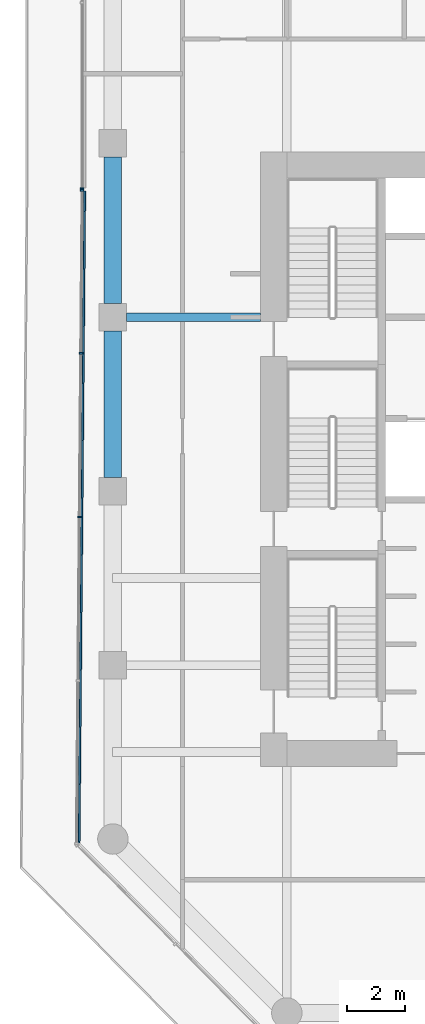
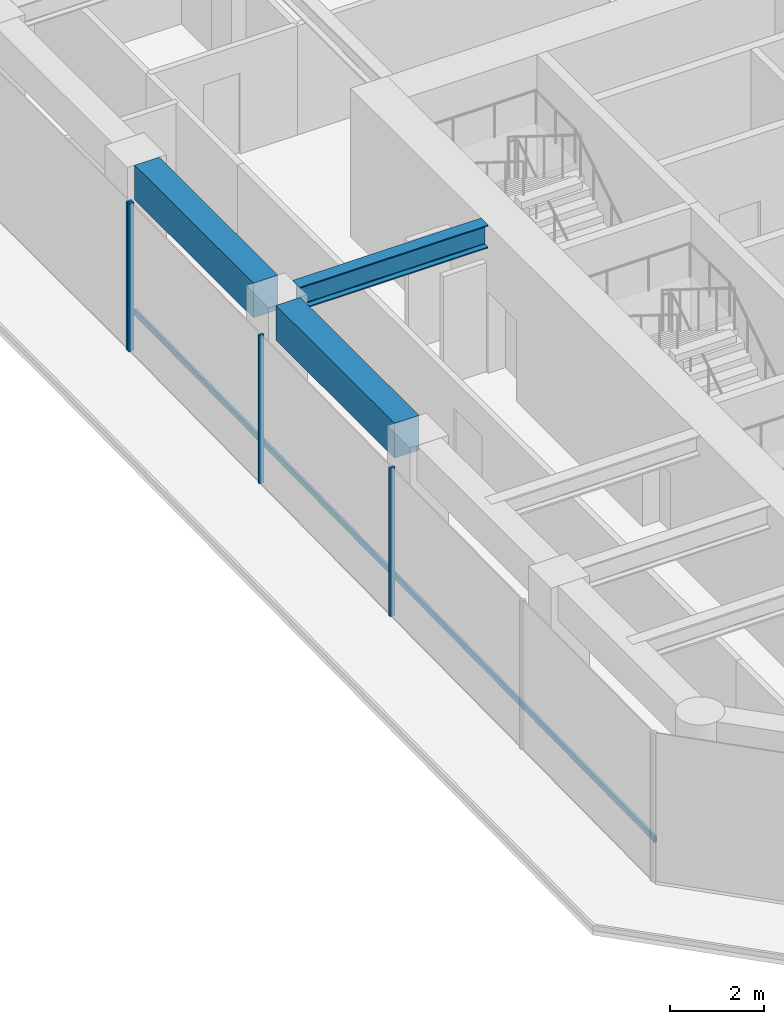
# One storey, part 5 of 29: 5 members, 3 beams, 2 elements without a shape of their own.
"""IFC4 building model written with IfcOpenShell, lengths in metres."""

from ifc_helpers import new_model, si_unit, direction, frame, origin, origin_2d, place, context, subcontext, project, spatial, rectangle, i_section, extrude, material, layer, layer_set, material_profile, profile_set, type_object, element, aggregate, save


model = new_model("IFC4")

# Units and contexts
model_context = context("Model", 3, precision=1e-05, world=origin(), true_north=direction((0.0, 1.0)))
body_context = subcontext(model_context, "Body", "Model", "MODEL_VIEW")
ifc_project = project(units=[si_unit("LENGTHUNIT", "METRE"), si_unit("AREAUNIT", "SQUARE_METRE"), si_unit("VOLUMEUNIT", "CUBIC_METRE"), si_unit("PLANEANGLEUNIT", "RADIAN"), si_unit("MASSUNIT", "GRAM", prefix="KILO")], contexts=[model_context])

# Site, building, storey
site_placement = place(None, origin())
site = spatial("IfcSite", under=ifc_project, at=site_placement, CompositionType="ELEMENT")
building_placement = place(site_placement, origin())
building = spatial("IfcBuilding", under=site, at=building_placement, Name="Welwitschia Terrace Campus", CompositionType="ELEMENT")
storey_placement = place(building_placement, frame((0.0, 0.0, 50.0)))
storey = spatial("IfcBuildingStorey", under=building, at=storey_placement, Name="L11", CompositionType="ELEMENT", Elevation=50.0)

# Curtain wall, member
ifc_material_1 = material(Name="Bronze anodised aluminium", Category="aluminium")
ifc_layer = layer(ifc_material_1, 0.1201171875)
ifc_layer_set = layer_set([ifc_layer], Name="Bronze anodised aluminium")
curtain_wall_type = type_object("IfcCurtainWallType", Name="Curtain wall CW2 tower 6000", PredefinedType="NOTDEFINED", material=ifc_layer_set)
curtain_wall_1_placement = place(storey_placement, origin())
curtain_wall_1 = element("IfcCurtainWall", 1, at=curtain_wall_1_placement, inside=storey, type_object=curtain_wall_type, Name="CW L11.10.0", PredefinedType="NOTDEFINED")
ifc_material_2 = material(Name="Bronze anodised aluminium", Category="aluminium")
ifc_material_profile_1 = material_profile(ifc_material_2, rectangle(XDim=0.1201171875, YDim=0.06005859375, at=origin_2d()))
ifc_profile_set_1 = profile_set([ifc_material_profile_1], Name="Bronze anodised aluminium")
member_type_1 = type_object("IfcMemberType", Name="Mullion 60x120", PredefinedType="MULLION", material=ifc_profile_set_1)
member_1_placement = place(storey_placement, frame((-1.05810546875, 24.438720703125, 0.0), z_axis=(0.0, 0.0, 1.0), x_axis=(1.0, 0.0, 0.0)))
member_1 = element("IfcMember", 2, at=member_1_placement, type_object=member_type_1, Name="Mullion L11.10.0.6", PredefinedType="MULLION", context=body_context, shape_type="SweptSolid", body=[
    extrude(rectangle(XDim=0.1201171875, YDim=0.06005859375, at=origin_2d()), origin(), (0.0, 0.0, 1.0), 3.85009765625),
])
aggregate(curtain_wall_1, [member_1])

# Curtain wall, members
curtain_wall_2_placement = place(storey_placement, origin())
curtain_wall_2 = element("IfcCurtainWall", 3, at=curtain_wall_2_placement, inside=storey, type_object=curtain_wall_type, Name="CW L11.11.0", PredefinedType="NOTDEFINED")
member_2_placement = place(storey_placement, frame((-1.058349609375, 24.378662109375, 0.0), z_axis=(0.0, 0.0, 1.0), x_axis=(0.999961923064, -0.008726535498, 0.0)))
member_2 = element("IfcMember", 4, at=member_2_placement, type_object=member_type_1, Name="Mullion L11.11.0.0", PredefinedType="MULLION", context=body_context, shape_type="SweptSolid", body=[
    extrude(rectangle(XDim=0.1201171875, YDim=0.06005859375, at=origin_2d()), origin(), (0.0, 0.0, 1.0), 3.85009765625),
])
member_3_placement = place(storey_placement, frame((-1.107421875, 18.759033203125, 0.0), z_axis=(0.0, 0.0, 1.0), x_axis=(0.999961923064, -0.008726535498, 0.0)))
member_3 = element("IfcMember", 5, at=member_3_placement, type_object=member_type_1, Name="Mullion L11.11.0.1", PredefinedType="MULLION", context=body_context, shape_type="SweptSolid", body=[
    extrude(rectangle(XDim=0.1201171875, YDim=0.06005859375, at=origin_2d()), origin(), (0.0, 0.0, 1.0), 3.85009765625),
])
member_4_placement = place(storey_placement, frame((-1.156494140625, 13.109130859375, 0.0), z_axis=(0.0, 0.0, 1.0), x_axis=(0.999961923064, -0.008726535498, 0.0)))
member_4 = element("IfcMember", 6, at=member_4_placement, type_object=member_type_1, Name="Mullion L11.11.0.2", PredefinedType="MULLION", context=body_context, shape_type="SweptSolid", body=[
    extrude(rectangle(XDim=0.1201171875, YDim=0.06005859375, at=origin_2d()), origin(), (0.0, 0.0, 1.0), 3.85009765625),
])

# Beams
ifc_material_3 = material(Name="Steel S355", Category="steel")
ifc_material_profile_2 = material_profile(ifc_material_3, i_section(OverallWidth=0.300048828125, OverallDepth=0.60009765625, WebThickness=0.015380859375, FlangeThickness=0.030029296875, FilletRadius=0.027099609375, at=origin_2d()))
ifc_profile_set_2 = profile_set([ifc_material_profile_2], Name="Steel S355")
beam_type_1 = type_object("IfcBeamType", Name="Primary beam HE 600 B", PredefinedType="BEAM", material=ifc_profile_set_2)
beam_placement = place(storey_placement, frame((0.4755859375, 20.0, 3.550048828125), z_axis=(1.0, 0.0, 0.0), x_axis=(0.0, 1.0, 0.0)))
element("IfcBeam", 7, at=beam_placement, inside=storey, type_object=beam_type_1, Name="Primary beam PB2", PredefinedType="BEAM", context=body_context, shape_type="SweptSolid", body=[
    extrude(i_section(OverallWidth=0.300048828125, OverallDepth=0.60009765625, WebThickness=0.015380859375, FlangeThickness=0.030029296875, FilletRadius=0.027099609375, at=origin_2d()), origin(), (0.0, 0.0, 1.0), 4.62451171875),
])
ifc_material_4 = material(Name="Concrete C60/75", Category="concrete")
ifc_material_profile_3 = material_profile(ifc_material_4, rectangle(XDim=0.60009765625, YDim=0.89990234375, at=origin_2d()))
ifc_profile_set_3 = profile_set([ifc_material_profile_3], Name="Concrete C60/75")
beam_type_2 = type_object("IfcBeamType", Name="Ring spandrel 600x900", PredefinedType="SPANDREL", material=ifc_profile_set_3)
for number, where, z_axis, x_axis, name in (
    (8, (0.0, 25.5244140625, 3.39990234375), (0.0, -1.0, 0.0), (1.0, 0.0, 0.0), "Spandrel SP2"),
    (9, (0.0, 19.5244140625, 3.39990234375), (0.0, -1.0, 0.0), (1.0, 0.0, 0.0), "Spandrel SP2"),
):
    element("IfcBeam", number, at=place(storey_placement, frame(where, z_axis=z_axis, x_axis=x_axis)), inside=storey, type_object=beam_type_2, Name=name, PredefinedType="SPANDREL", context=body_context, shape_type="SweptSolid", body=[
        extrude(rectangle(XDim=0.60009765625, YDim=0.89990234375, at=origin_2d()), origin(), (0.0, 0.0, 1.0), 5.048828125),
    ])

# Member
ifc_material_5 = material(Name="Bronze anodised aluminium", Category="aluminium")
ifc_material_profile_4 = material_profile(ifc_material_5, rectangle(XDim=0.06005859375, YDim=0.14990234375, at=origin_2d()))
ifc_profile_set_4 = profile_set([ifc_material_profile_4], Name="Bronze anodised aluminium")
member_type_2 = type_object("IfcMemberType", Name="Transom 60x150", PredefinedType="USERDEFINED", material=ifc_profile_set_4)
member_5_placement = place(storey_placement, frame((-0.968505859375, 24.347900390625, 1.0), z_axis=(-0.008731773892, -0.999961877336, 0.0), x_axis=(0.999961877336, -0.008731773892, 0.0)))
member_5 = element("IfcMember", 10, at=member_5_placement, type_object=member_type_2, Name="Transom L11.11.0", ObjectType="TRANSOM", PredefinedType="USERDEFINED", context=body_context, shape_type="SweptSolid", body=[
    extrude(rectangle(XDim=0.06005859375, YDim=0.14990234375, at=origin_2d()), origin(), (0.0, 0.0, 1.0), 22.47998046875),
])

aggregate(curtain_wall_2, [member_2, member_3, member_4, member_5])

save(model, "model.ifc")
